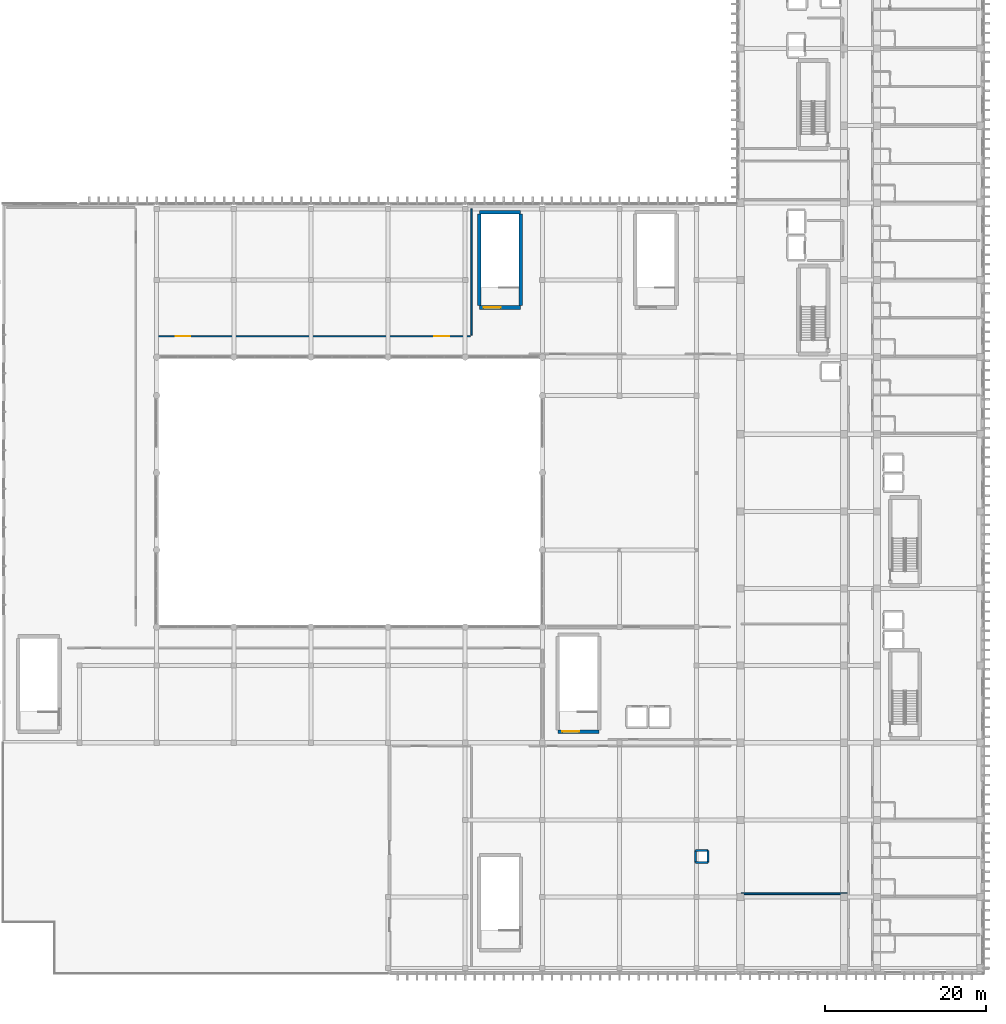
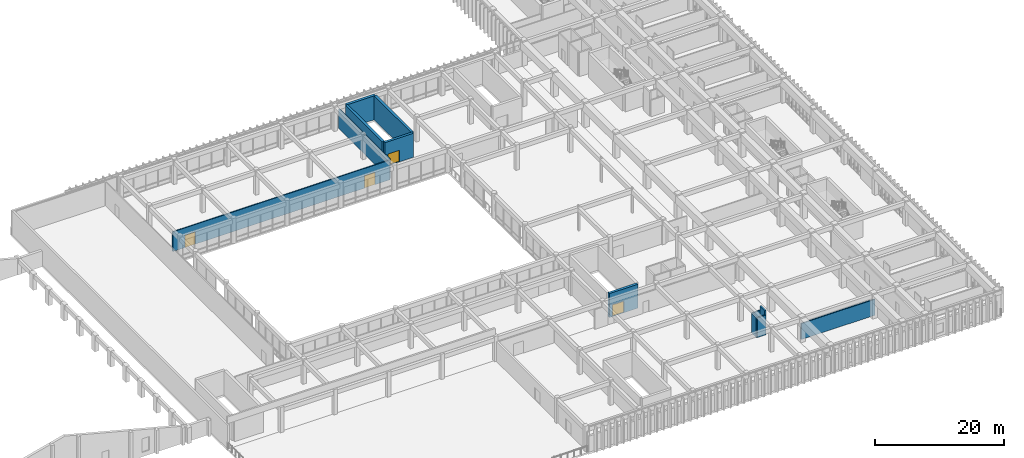
# One storey, part 75 of 101: 12 walls, 4 doors, 4 openings.
"""IFC4 building model written with IfcOpenShell, lengths in metres."""

from ifc_helpers import new_model, si_unit, direction, frame, frame_2d, origin, place, context, subcontext, project, spatial, rectangle, extrude, material, layer, layer_set, type_object, element, fill, save


model = new_model("IFC4")

# Units and contexts
model_context = context("Model", 3, precision=1e-05, world=origin(), true_north=direction((0.0, 1.0)))
body_context = subcontext(model_context, "Body", "Model", "MODEL_VIEW")
ifc_project = project(units=[si_unit("LENGTHUNIT", "METRE"), si_unit("AREAUNIT", "SQUARE_METRE"), si_unit("VOLUMEUNIT", "CUBIC_METRE"), si_unit("PLANEANGLEUNIT", "RADIAN"), si_unit("MASSUNIT", "GRAM", prefix="KILO")], contexts=[model_context])

# Site, building, storey
site_placement = place(None, origin())
site = spatial("IfcSite", under=ifc_project, at=site_placement, CompositionType="ELEMENT")
building_placement = place(site_placement, origin())
building = spatial("IfcBuilding", under=site, at=building_placement, Name="Nakhvara Creek Congress Hotel", CompositionType="ELEMENT")
storey_placement = place(building_placement, frame((0.0, 0.0, 16.199951171875)))
storey = spatial("IfcBuildingStorey", under=building, at=storey_placement, Name="L03", CompositionType="ELEMENT", Elevation=16.199951171875)

# Wall, opening, door
ifc_material_1 = material(Name="Concrete C50/60", Category="concrete")
ifc_layer_1 = layer(ifc_material_1, 0.449951171875)
ifc_layer_set_1 = layer_set([ifc_layer_1], Name="Concrete C50/60")
wall_type_1 = type_object("IfcWallType", Name="W-CORE-450", PredefinedType="SHEAR", material=ifc_layer_set_1)
wall_1_placement = place(storey_placement, frame((126.72998046875, 30.179931640625, 0.0), z_axis=(0.0, 0.0, 1.0), x_axis=(1.0, 0.0, 0.0)))
wall_1 = element("IfcWall", 1, at=wall_1_placement, inside=storey, type_object=wall_type_1, Name="Core Shear Wall WS02-CWALL-L03-0836", PredefinedType="SHEAR", context=body_context, shape_type="SweptSolid", body=[
    extrude(rectangle(XDim=5.14990234375, YDim=0.449951171875, at=frame_2d((2.574951171875, 0.0))), origin(), (0.0, 0.0, 1.0), 4.5400390625),
])
opening_1_placement = place(wall_1_placement, frame((0.550048828125, 0.0, 0.0)))
opening_1 = element("IfcOpeningElement", 2, at=opening_1_placement, cuts=wall_1, Name="Opening FD19", PredefinedType="OPENING", context=body_context, shape_type="SweptSolid", body=[
    extrude(rectangle(XDim=2.10009765625, YDim=2.199951171875, at=frame_2d((1.050048828125, 1.10009765625))), frame((0.0, 0.23681640625, 0.0), z_axis=(0.0, -1.0, 0.0), x_axis=(1.0, 0.0, 0.0)), (0.0, 0.0, 1.0), 0.473876953125),
])
ifc_material_2 = material(Name="Galvanised steel acoustic fire door", Category="steel")
door_type_1 = type_object("IfcDoorType", Name="DT-STAIR-220", OperationType="DOUBLE_DOOR_SINGLE_SWING", PredefinedType="DOOR", material=ifc_material_2)
door_1_placement = place(opening_1_placement, frame((2.10009765625, 0.0, 0.0), z_axis=(0.0, 0.0, 1.0), x_axis=(-1.0, 0.0, 0.0)))
door_1 = element("IfcDoor", 3, at=door_1_placement, inside=storey, type_object=door_type_1, Name="Stair Exit Door ST06-L03", OperationType="DOUBLE_DOOR_SINGLE_SWING", OverallHeight=2.199951171875, OverallWidth=2.10009765625, PredefinedType="DOOR", context=body_context, shape_type="SweptSolid", body=[
    extrude(rectangle(XDim=2.10009765625, YDim=2.199951171875, at=frame_2d((1.050048828125, 1.10009765625))), frame((0.0, 0.02490234375, 0.0), z_axis=(0.0, -1.0, 0.0), x_axis=(1.0, 0.0, 0.0)), (0.0, 0.0, 1.0), 0.050048828125),
])
fill(opening_1, door_1)

wall_2_placement = place(storey_placement, frame((116.949951171875, 82.97998046875, 0.0), z_axis=(0.0, 0.0, 1.0), x_axis=(1.0, 0.0, 0.0)))
wall_2 = element("IfcWall", 4, at=wall_2_placement, inside=storey, type_object=wall_type_1, Name="Core Shear Wall WS02-CWALL-L03-0907", PredefinedType="SHEAR", context=body_context, shape_type="SweptSolid", body=[
    extrude(rectangle(XDim=5.150146484375, YDim=0.449951171875, at=frame_2d((2.5751953125, 0.0))), origin(), (0.0, 0.0, 1.0), 4.5400390625),
])
opening_2_placement = place(wall_2_placement, frame((0.550048828125, 0.0, 0.0)))
opening_2 = element("IfcOpeningElement", 5, at=opening_2_placement, cuts=wall_2, Name="Opening FD19", PredefinedType="OPENING", context=body_context, shape_type="SweptSolid", body=[
    extrude(rectangle(XDim=2.10009765625, YDim=2.199951171875, at=frame_2d((1.050048828125, 1.10009765625))), frame((0.0, 0.23681640625, 0.0), z_axis=(0.0, -1.0, 0.0), x_axis=(1.0, 0.0, 0.0)), (0.0, 0.0, 1.0), 0.473876953125),
])
door_2_placement = place(opening_2_placement, frame((2.10009765625, 0.0, 0.0), z_axis=(0.0, 0.0, 1.0), x_axis=(-1.0, 0.0, 0.0)))
door_2 = element("IfcDoor", 6, at=door_2_placement, inside=storey, type_object=door_type_1, Name="Stair Exit Door ST09-L03", OperationType="DOUBLE_DOOR_SINGLE_SWING", OverallHeight=2.199951171875, OverallWidth=2.10009765625, PredefinedType="DOOR", context=body_context, shape_type="SweptSolid", body=[
    extrude(rectangle(XDim=2.10009765625, YDim=2.199951171875, at=frame_2d((1.050048828125, 1.10009765625))), frame((0.0, 0.02490234375, 0.0), z_axis=(0.0, -1.0, 0.0), x_axis=(1.0, 0.0, 0.0)), (0.0, 0.0, 1.0), 0.050048828125),
])
fill(opening_2, door_2)

# Walls
wall_3_placement = place(storey_placement, frame((116.949951171875, 94.820068359375, 0.0), z_axis=(0.0, 0.0, 1.0), x_axis=(1.0, 0.0, 0.0)))
element("IfcWall", 7, at=wall_3_placement, inside=storey, type_object=wall_type_1, Name="Core Shear Wall WS02-CWALL-L03-0908", PredefinedType="SHEAR", context=body_context, shape_type="SweptSolid", body=[
    extrude(rectangle(XDim=5.150146484375, YDim=0.449951171875, at=frame_2d((2.5751953125, 0.0))), origin(), (0.0, 0.0, 1.0), 4.5400390625),
])
for number, where, z_axis, x_axis, name in (
    (8, (116.949951171875, 83.199951171875, 0.0), (0.0, 0.0, 1.0), (0.0, 1.0, 0.0), "Core Shear Wall WS02-CWALL-L03-0909"),
    (9, (122.10009765625, 83.199951171875, 0.0), (0.0, 0.0, 1.0), (0.0, 1.0, 0.0), "Core Shear Wall WS02-CWALL-L03-0910"),
):
    element("IfcWall", number, at=place(storey_placement, frame(where, z_axis=z_axis, x_axis=x_axis)), inside=storey, type_object=wall_type_1, Name=name, PredefinedType="SHEAR", context=body_context, shape_type="SweptSolid", body=[
        extrude(rectangle(XDim=11.400146484375, YDim=0.449951171875, at=frame_2d((5.7001953125, 0.0))), origin(), (0.0, 0.0, 1.0), 4.5400390625),
    ])

# Wall, openings, doors
ifc_material_3 = material(Name="Gypsum acoustic board on steel stud", Category="steel")
ifc_layer_2 = layer(ifc_material_3, 0.179931640625)
ifc_layer_set_2 = layer_set([ifc_layer_2], Name="Gypsum acoustic board on steel stud")
wall_type_2 = type_object("IfcWallType", Name="W-MEET-180", PredefinedType="PARTITIONING", material=ifc_layer_set_2)
wall_4_placement = place(storey_placement, frame((76.949951171875, 79.39990234375, 0.0), z_axis=(0.0, 0.0, 1.0), x_axis=(1.0, 0.0, 0.0)))
wall_4 = element("IfcWall", 10, at=wall_4_placement, inside=storey, type_object=wall_type_2, Name="Interior Wall WP13-IW-L03-0220", PredefinedType="PARTITIONING", context=body_context, shape_type="SweptSolid", body=[
    extrude(rectangle(XDim=38.900146484375, YDim=0.179931640625, at=frame_2d((19.4501953125, 0.0))), origin(), (0.0, 0.0, 1.0), 3.73193359375),
])
opening_3_placement = place(wall_4_placement, frame((2.199951171875, 0.0, 0.0)))
opening_3 = element("IfcOpeningElement", 11, at=opening_3_placement, cuts=wall_4, Name="Opening MD01", PredefinedType="OPENING", context=body_context, shape_type="SweptSolid", body=[
    extrude(rectangle(XDim=1.85009765625, YDim=2.35009765625, at=frame_2d((0.925048828125, 1.175048828125))), frame((0.0, 0.10205078125, 0.0), z_axis=(0.0, -1.0, 0.0), x_axis=(1.0, 0.0, 0.0)), (0.0, 0.0, 1.0), 0.203857421875),
])
opening_4_placement = place(wall_4_placement, frame((34.39990234375, 0.0, 0.0)))
opening_4 = element("IfcOpeningElement", 12, at=opening_4_placement, cuts=wall_4, Name="Opening MD01", PredefinedType="OPENING", context=body_context, shape_type="SweptSolid", body=[
    extrude(rectangle(XDim=1.85009765625, YDim=2.35009765625, at=frame_2d((0.925048828125, 1.175048828125))), frame((0.0, 0.10205078125, 0.0), z_axis=(0.0, -1.0, 0.0), x_axis=(1.0, 0.0, 0.0)), (0.0, 0.0, 1.0), 0.203857421875),
])
ifc_material_4 = material(Name="Acoustic walnut timber double door", Category="wood")
door_type_2 = type_object("IfcDoorType", Name="DT-MEET-185", OperationType="DOUBLE_DOOR_SINGLE_SWING", PredefinedType="DOOR", material=ifc_material_4)
door_3_placement = place(opening_3_placement, frame((1.85009765625, 0.0, 0.0), z_axis=(0.0, 0.0, 1.0), x_axis=(-1.0, 0.0, 0.0)))
door_3 = element("IfcDoor", 13, at=door_3_placement, inside=storey, type_object=door_type_2, Name="Interior Door MD01-0200", OperationType="DOUBLE_DOOR_SINGLE_SWING", OverallHeight=2.35009765625, OverallWidth=1.85009765625, PredefinedType="DOOR", context=body_context, shape_type="SweptSolid", body=[
    extrude(rectangle(XDim=1.85009765625, YDim=2.35009765625, at=frame_2d((0.925048828125, 1.175048828125))), frame((0.0, 0.02490234375, 0.0), z_axis=(0.0, -1.0, 0.0), x_axis=(1.0, 0.0, 0.0)), (0.0, 0.0, 1.0), 0.050048828125),
])
fill(opening_3, door_3)
door_4_placement = place(opening_4_placement, frame((1.85009765625, 0.0, 0.0), z_axis=(0.0, 0.0, 1.0), x_axis=(-1.0, 0.0, 0.0)))
door_4 = element("IfcDoor", 14, at=door_4_placement, inside=storey, type_object=door_type_2, Name="Interior Door MD01-0201", OperationType="DOUBLE_DOOR_SINGLE_SWING", OverallHeight=2.35009765625, OverallWidth=1.85009765625, PredefinedType="DOOR", context=body_context, shape_type="SweptSolid", body=[
    extrude(rectangle(XDim=1.85009765625, YDim=2.35009765625, at=frame_2d((0.925048828125, 1.175048828125))), frame((0.0, 0.02490234375, 0.0), z_axis=(0.0, -1.0, 0.0), x_axis=(1.0, 0.0, 0.0)), (0.0, 0.0, 1.0), 0.050048828125),
])
fill(opening_4, door_4)

# Walls
ifc_layer_3 = layer(ifc_material_3, 0.199951171875)
ifc_layer_set_3 = layer_set([ifc_layer_3], Name="Gypsum acoustic board on steel stud")
wall_type_3 = type_object("IfcWallType", Name="W-PART-200", PredefinedType="PARTITIONING", material=ifc_layer_set_3)
wall_5_placement = place(storey_placement, frame((116.0, 79.550048828125, 0.0), z_axis=(0.0, 0.0, 1.0), x_axis=(0.0, 1.0, 0.0)))
element("IfcWall", 15, at=wall_5_placement, inside=storey, type_object=wall_type_3, Name="Interior Wall WP12-IW-L03-0221", PredefinedType="PARTITIONING", context=body_context, shape_type="SweptSolid", body=[
    extrude(rectangle(XDim=15.699951171875, YDim=0.199951171875, at=frame_2d((7.85009765625, 0.0))), origin(), (0.0, 0.0, 1.0), 3.73193359375),
])
wall_6_placement = place(storey_placement, frame((149.550048828125, 10.0, 0.0), z_axis=(0.0, 0.0, 1.0), x_axis=(1.0, 0.0, 0.0)))
element("IfcWall", 16, at=wall_6_placement, inside=storey, type_object=wall_type_3, Name="Interior Wall WP12-IW-L03-0233", PredefinedType="PARTITIONING", context=body_context, shape_type="SweptSolid", body=[
    extrude(rectangle(XDim=13.22998046875, YDim=0.199951171875, at=frame_2d((6.614990234375, 0.0))), origin(), (0.0, 0.0, 1.0), 3.031982421875),
])
ifc_material_5 = material(Name="Concrete C40/50", Category="concrete")
ifc_layer_4 = layer(ifc_material_5, 0.25)
ifc_layer_set_4 = layer_set([ifc_layer_4], Name="Concrete C40/50")
wall_type_4 = type_object("IfcWallType", Name="W-SHAFT-250", PredefinedType="SOLIDWALL", material=ifc_layer_set_4)
wall_7_placement = place(storey_placement, frame((143.889892578125, 13.889892578125, 0.0), z_axis=(0.0, 0.0, 1.0), x_axis=(1.0, 0.0, 0.0)))
element("IfcWall", 17, at=wall_7_placement, inside=storey, type_object=wall_type_4, Name="MEP Riser Enclosure Wall L03-032", PredefinedType="SOLIDWALL", context=body_context, shape_type="SweptSolid", body=[
    extrude(rectangle(XDim=1.52001953125, YDim=0.25, at=frame_2d((0.760009765625, 0.0))), origin(), (0.0, 0.0, 1.0), 3.73193359375),
])
wall_8_placement = place(storey_placement, frame((145.409912109375, 13.889892578125, 0.0), z_axis=(0.0, 0.0, 1.0), x_axis=(0.0, 1.0, 0.0)))
element("IfcWall", 18, at=wall_8_placement, inside=storey, type_object=wall_type_4, Name="MEP Riser Enclosure Wall L03-033", PredefinedType="SOLIDWALL", context=body_context, shape_type="SweptSolid", body=[
    extrude(rectangle(XDim=1.52001953125, YDim=0.25, at=frame_2d((0.760009765625, 0.0))), origin(), (0.0, 0.0, 1.0), 4.5400390625),
])
for number, where, z_axis, x_axis, name in (
    (19, (145.409912109375, 15.409912109375, 0.0), (0.0, 0.0, 1.0), (-1.0, 0.0, 0.0), "MEP Riser Enclosure Wall L03-034"),
    (20, (143.889892578125, 15.409912109375, 0.0), (0.0, 0.0, 1.0), (0.0, -1.0, 0.0), "MEP Riser Enclosure Wall L03-035"),
):
    element("IfcWall", number, at=place(storey_placement, frame(where, z_axis=z_axis, x_axis=x_axis)), inside=storey, type_object=wall_type_4, Name=name, PredefinedType="SOLIDWALL", context=body_context, shape_type="SweptSolid", body=[
        extrude(rectangle(XDim=1.52001953125, YDim=0.25, at=frame_2d((0.760009765625, 0.0))), origin(), (0.0, 0.0, 1.0), 3.73193359375),
    ])

save(model, "model.ifc")
